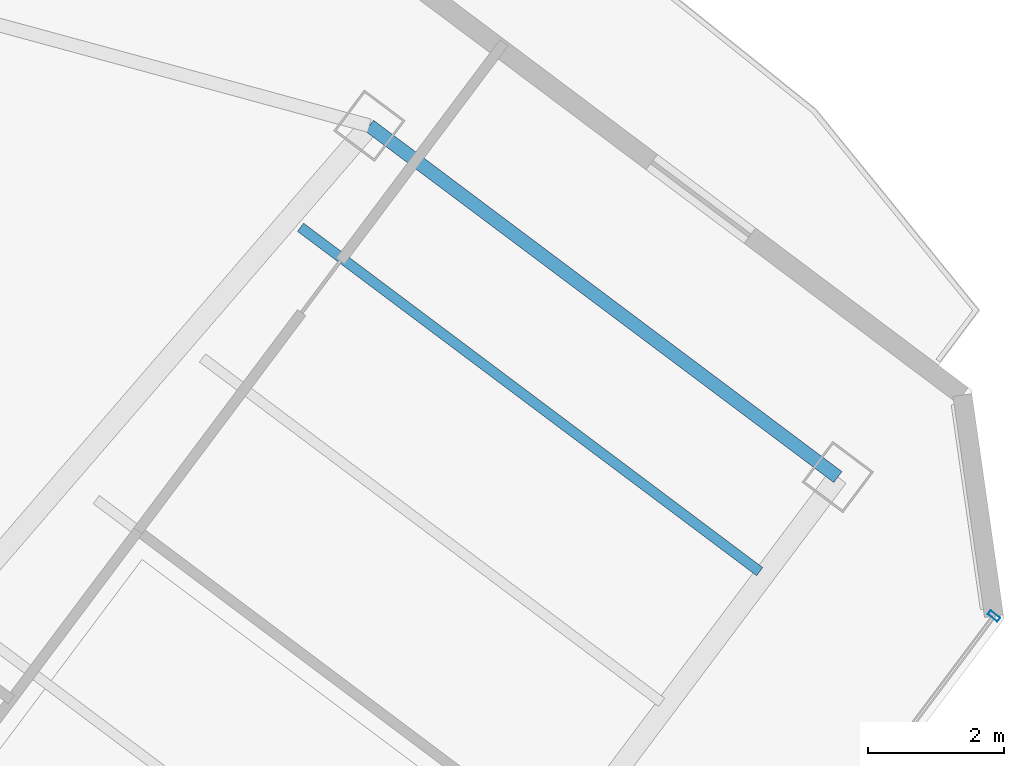
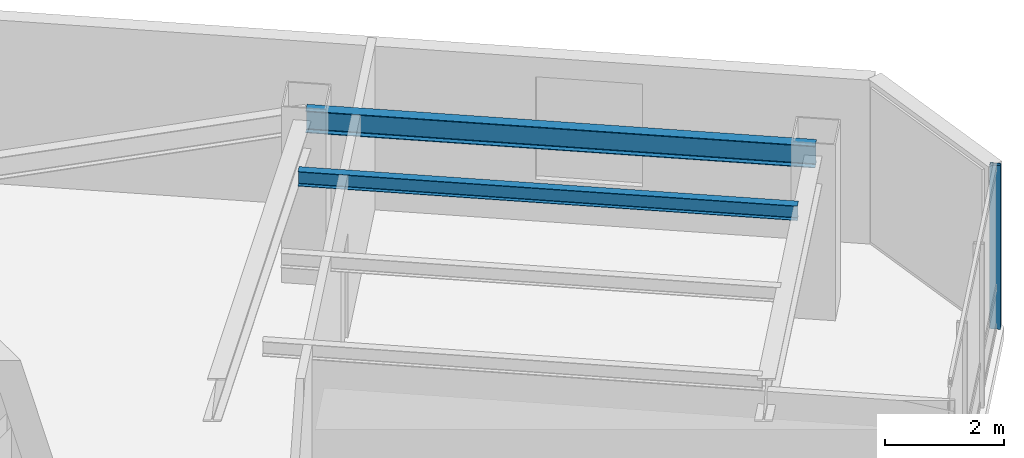
# One storey, part 14 of 24: 2 beams, 1 member, 1 element without a shape of its own.
"""IFC4 building model written with IfcOpenShell, lengths in metres."""

from ifc_helpers import new_model, si_unit, direction, frame, origin, origin_2d, place, context, subcontext, project, spatial, hollow_rectangle, i_section, extrude, material, layer, layer_set, material_profile, profile_set, type_object, element, aggregate, save


model = new_model("IFC4")

# Units and contexts
model_context = context("Model", 3, precision=1e-05, world=origin(), true_north=direction((0.0, 1.0)))
body_context = subcontext(model_context, "Body", "Model", "MODEL_VIEW")
ifc_project = project(units=[si_unit("LENGTHUNIT", "METRE"), si_unit("AREAUNIT", "SQUARE_METRE"), si_unit("VOLUMEUNIT", "CUBIC_METRE"), si_unit("PLANEANGLEUNIT", "RADIAN"), si_unit("MASSUNIT", "GRAM", prefix="KILO")], contexts=[model_context])

# Site, building, storey
site_placement = place(None, origin())
site = spatial("IfcSite", under=ifc_project, at=site_placement, CompositionType="ELEMENT")
building_placement = place(site_placement, origin())
building = spatial("IfcBuilding", under=site, at=building_placement, Name="Hatsunagi Terrace Concourse", CompositionType="ELEMENT")
storey_placement = place(building_placement, frame((0.0, 0.0, 213.14990234375)))
storey = spatial("IfcBuildingStorey", under=building, at=storey_placement, Name="L56", CompositionType="ELEMENT", Elevation=213.14990234375)

# Curtain wall, member
ifc_material_1 = material(Name="Anodised Aluminium Alloy 6063-T5", Category="aluminium")
ifc_layer = layer(ifc_material_1, 0.199951171875)
ifc_layer_set = layer_set([ifc_layer], Name="OfficeZone2_CW04")
curtain_wall_type = type_object("IfcCurtainWallType", Name="OfficeZone2_CW04", PredefinedType="NOTDEFINED", material=ifc_layer_set)
curtain_wall_placement = place(storey_placement, origin())
curtain_wall = element("IfcCurtainWall", 1, at=curtain_wall_placement, inside=storey, type_object=curtain_wall_type, Name="Unitised Curtain Wall CW-04 CW-L56-03", PredefinedType="NOTDEFINED")
ifc_material_2 = material(Name="Anodised Aluminium Alloy 6063-T5", Category="aluminium")
ifc_material_profile_1 = material_profile(ifc_material_2, hollow_rectangle(XDim=0.070068359375, YDim=0.179931640625, WallThickness=0.00390625, at=origin_2d()), Name="ALU-MUL-180x70x4")
ifc_profile_set_1 = profile_set([ifc_material_profile_1], Name="Anodised Aluminium Alloy 6063-T5")
member_type = type_object("IfcMemberType", Name="CurtainWallMullion_180x70", PredefinedType="MULLION", material=ifc_profile_set_1)
member_placement = place(storey_placement, frame((60.693115234375, 25.9580078125, 0.0), z_axis=(0.0, 0.0, 1.0), x_axis=(-0.599969314634, -0.800023013105, 0.0)))
member = element("IfcMember", 2, at=member_placement, type_object=member_type, Name="Curtain Wall Mullion MUL-02", PredefinedType="MULLION", context=body_context, shape_type="SweptSolid", body=[
    extrude(hollow_rectangle(XDim=0.070068359375, YDim=0.179931640625, WallThickness=0.00390625, at=origin_2d()), origin(), (0.0, 0.0, 1.0), 3.35009765625),
])
aggregate(curtain_wall, [member])

# Beams
ifc_material_3 = material(Name="Steel SN490B", Category="steel")
ifc_material_profile_2 = material_profile(ifc_material_3, i_section(OverallWidth=0.14990234375, OverallDepth=0.300048828125, WebThickness=0.006591796875, FlangeThickness=0.009033203125, FilletRadius=0.010986328125, at=origin_2d()), Name="H-300x150x6.5x9")
ifc_profile_set_2 = profile_set([ifc_material_profile_2], Name="Steel SN490B")
beam_type_1 = type_object("IfcBeamType", Name="OfficeJoist_H_300x150", PredefinedType="JOIST", material=ifc_profile_set_2)
beam_1_placement = place(storey_placement, frame((50.508056640625, 31.6689453125, 3.2001953125), z_axis=(0.800003475366, -0.59999536615, 0.0), x_axis=(0.59999536615, 0.800003475366, 0.0)))
element("IfcBeam", 3, at=beam_1_placement, inside=storey, type_object=beam_type_1, Name="Beam J-03 J-L56-SE-2-218", PredefinedType="JOIST", context=body_context, shape_type="SweptSolid", body=[
    extrude(i_section(OverallWidth=0.14990234375, OverallDepth=0.300048828125, WebThickness=0.006591796875, FlangeThickness=0.009033203125, FilletRadius=0.010986328125, at=origin_2d()), origin(), (0.0, 0.0, 1.0), 8.429931640625),
])
ifc_material_4 = material(Name="Steel SN490B", Category="steel")
ifc_material_profile_3 = material_profile(ifc_material_4, i_section(OverallWidth=0.199951171875, OverallDepth=0.449951171875, WebThickness=0.009033203125, FlangeThickness=0.013916015625, FilletRadius=0.01611328125, at=origin_2d()), Name="H-450x200x9x14")
ifc_profile_set_3 = profile_set([ifc_material_profile_3], Name="Steel SN490B")
beam_type_2 = type_object("IfcBeamType", Name="PerimeterSpandrel_H_450x200", PredefinedType="SPANDREL", material=ifc_profile_set_3)
beam_2_placement = place(storey_placement, frame((51.52001953125, 33.159912109375, 3.125), z_axis=(0.8, -0.6, 0.0), x_axis=(0.6, 0.8, 0.0)))
element("IfcBeam", 4, at=beam_2_placement, inside=storey, type_object=beam_type_2, Name="Beam SP-02 BM-L56-SE-NE2", PredefinedType="SPANDREL", context=body_context, shape_type="SweptSolid", body=[
    extrude(i_section(OverallWidth=0.199951171875, OverallDepth=0.449951171875, WebThickness=0.009033203125, FlangeThickness=0.013916015625, FilletRadius=0.01611328125, at=origin_2d()), origin(), (0.0, 0.0, 1.0), 8.599853515625),
])

save(model, "model.ifc")
